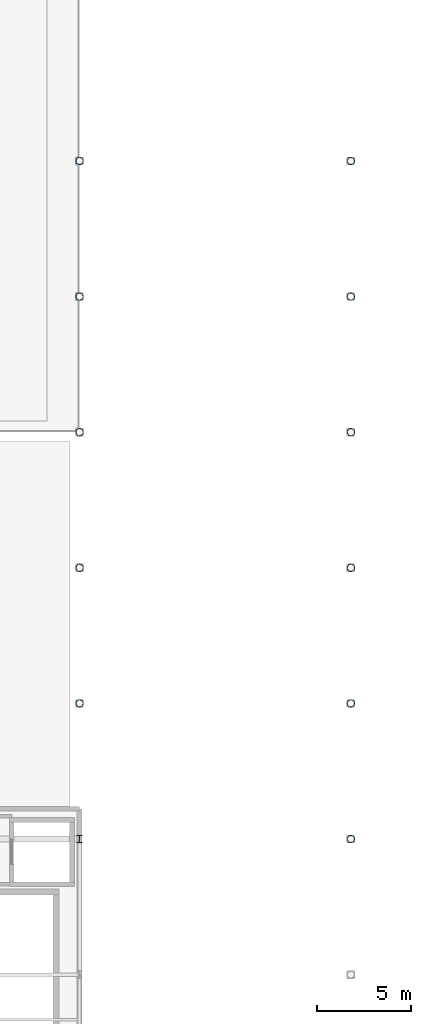
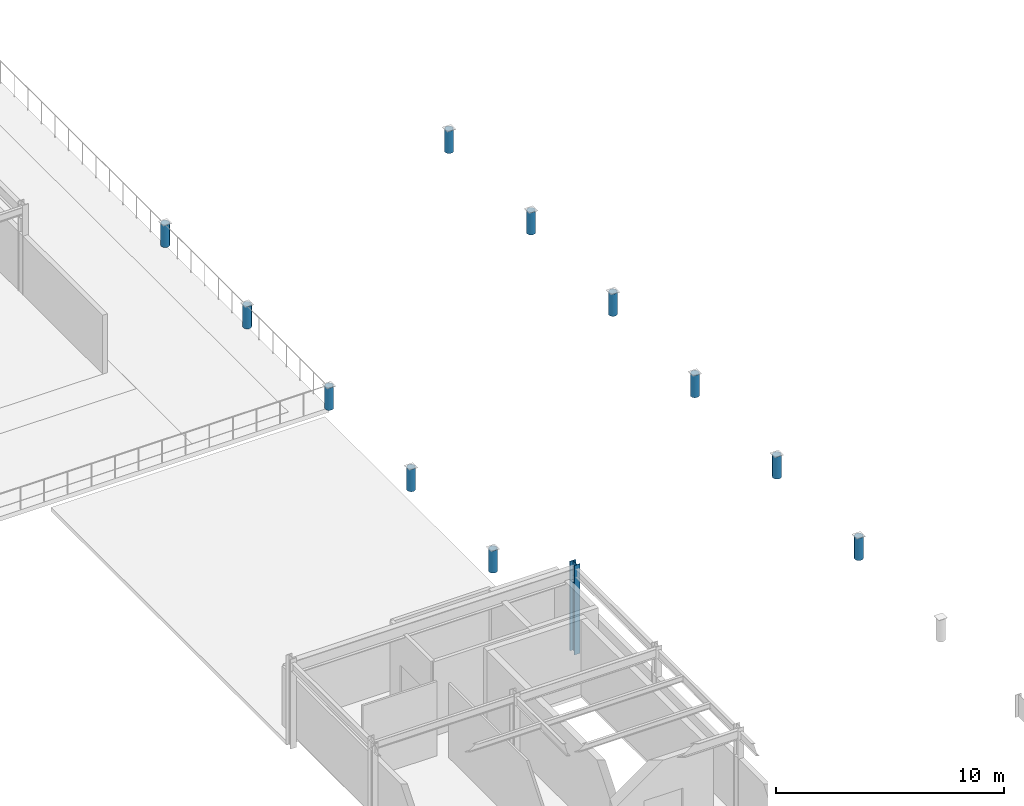
# One storey, part 9 of 41: 12 columns.
"""IFC4 building model written with IfcOpenShell, lengths in metres."""

from ifc_helpers import new_model, si_unit, direction, frame, origin, origin_2d, place, context, subcontext, project, spatial, hollow_circle, i_section, extrude, material, material_profile, profile_set, type_object, element, save


model = new_model("IFC4")

# Units and contexts
model_context = context("Model", 3, precision=1e-05, world=origin(), true_north=direction((0.0, 1.0)))
body_context = subcontext(model_context, "Body", "Model", "MODEL_VIEW")
ifc_project = project(units=[si_unit("LENGTHUNIT", "METRE"), si_unit("AREAUNIT", "SQUARE_METRE"), si_unit("VOLUMEUNIT", "CUBIC_METRE"), si_unit("PLANEANGLEUNIT", "RADIAN"), si_unit("MASSUNIT", "GRAM", prefix="KILO")], contexts=[model_context])

# Site, building, storey
site_placement = place(None, origin())
site = spatial("IfcSite", under=ifc_project, at=site_placement, CompositionType="ELEMENT")
building_placement = place(site_placement, origin())
building = spatial("IfcBuilding", under=site, at=building_placement, Name="Solvadek Multi-Sports Hall", CompositionType="ELEMENT")
storey_placement = place(building_placement, frame((0.0, 0.0, 14.39990234375)))
storey = spatial("IfcBuildingStorey", under=building, at=storey_placement, Name="L03", CompositionType="ELEMENT", Elevation=14.39990234375)

# Columns
ifc_material = material(Name="Steel E350 (350 MPa)", Category="steel")
ifc_material_profile_1 = material_profile(ifc_material, hollow_circle(Radius=0.203125, WallThickness=0.01611328125, at=origin_2d()), Name="CHS 406.4x16")
ifc_profile_set_1 = profile_set([ifc_material_profile_1], Name="Steel E350 (350 MPa)")
column_type_1 = type_object("IfcColumnType", Name="STR-COL-CHS406", PredefinedType="COLUMN", material=ifc_profile_set_1)
for number, where, z_axis, x_axis, name in (
    (1, (72.0, 63.60009765625, 0.0), (0.0, 0.0, 1.0), (1.0, 0.0, 0.0), "L03 Column C-11 #153"),
    (2, (72.0, 70.800048828125, 0.0), (0.0, 0.0, 1.0), (1.0, 0.0, 0.0), "L03 Column C-11 #154"),
    (3, (72.0, 78.0, 0.0), (0.0, 0.0, 1.0), (1.0, 0.0, 0.0), "L03 Column C-11 #155"),
    (4, (72.0, 85.199951171875, 0.0), (0.0, 0.0, 1.0), (1.0, 0.0, 0.0), "L03 Column C-11 #156"),
    (5, (72.0, 92.39990234375, 0.0), (0.0, 0.0, 1.0), (1.0, 0.0, 0.0), "L03 Column C-11 #157"),
    (6, (86.39990234375, 56.39990234375, 0.0), (0.0, 0.0, 1.0), (1.0, 0.0, 0.0), "L03 Column C-11 #182"),
    (7, (86.39990234375, 63.60009765625, 0.0), (0.0, 0.0, 1.0), (1.0, 0.0, 0.0), "L03 Column C-11 #183"),
    (8, (86.39990234375, 70.800048828125, 0.0), (0.0, 0.0, 1.0), (1.0, 0.0, 0.0), "L03 Column C-11 #184"),
    (9, (86.39990234375, 78.0, 0.0), (0.0, 0.0, 1.0), (1.0, 0.0, 0.0), "L03 Column C-11 #185"),
    (10, (86.39990234375, 85.199951171875, 0.0), (0.0, 0.0, 1.0), (1.0, 0.0, 0.0), "L03 Column C-11 #186"),
    (11, (86.39990234375, 92.39990234375, 0.0), (0.0, 0.0, 1.0), (1.0, 0.0, 0.0), "L03 Column C-11 #187"),
):
    element("IfcColumn", number, at=place(storey_placement, frame(where, z_axis=z_axis, x_axis=x_axis)), inside=storey, type_object=column_type_1, Name=name, PredefinedType="COLUMN", context=body_context, shape_type="SweptSolid", body=[
        extrude(hollow_circle(Radius=0.203125, WallThickness=0.01611328125, at=origin_2d()), origin(), (0.0, 0.0, 1.0), 1.2001953125),
    ])
ifc_material_profile_2 = material_profile(ifc_material, i_section(OverallWidth=0.300048828125, OverallDepth=0.39990234375, WebThickness=0.013427734375, FlangeThickness=0.02392578125, at=origin_2d()), Name="WPB 400")
ifc_profile_set_2 = profile_set([ifc_material_profile_2], Name="Steel E350 (350 MPa)")
column_type_2 = type_object("IfcColumnType", Name="STR-COL-WPB400", PredefinedType="COLUMN", material=ifc_profile_set_2)
column_placement = place(storey_placement, frame((72.0, 56.39990234375, 0.0), z_axis=(0.0, 0.0, 1.0), x_axis=(1.0, 0.0, 0.0)))
element("IfcColumn", 12, at=column_placement, inside=storey, type_object=column_type_2, Name="L03 Column C-07 #152", PredefinedType="COLUMN", context=body_context, shape_type="SweptSolid", body=[
    extrude(i_section(OverallWidth=0.300048828125, OverallDepth=0.39990234375, WebThickness=0.013427734375, FlangeThickness=0.02392578125, at=origin_2d()), origin(), (0.0, 0.0, 1.0), 4.800048828125),
])

save(model, "model.ifc")
